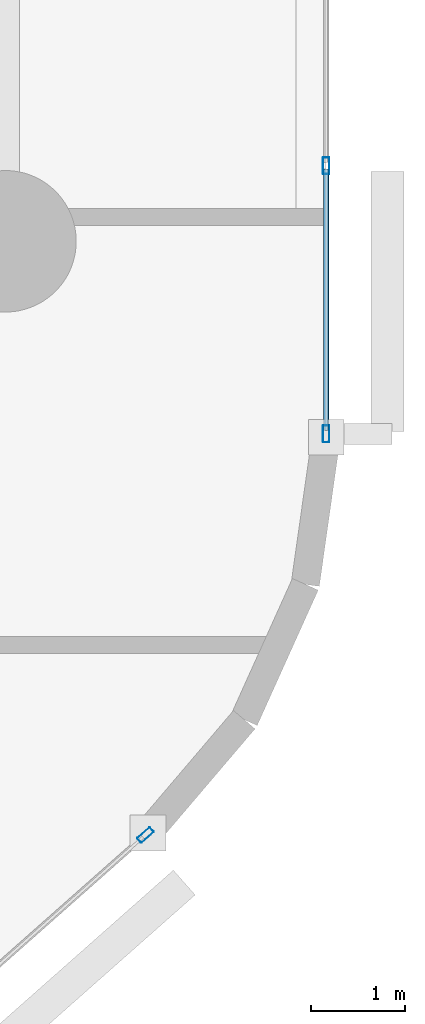
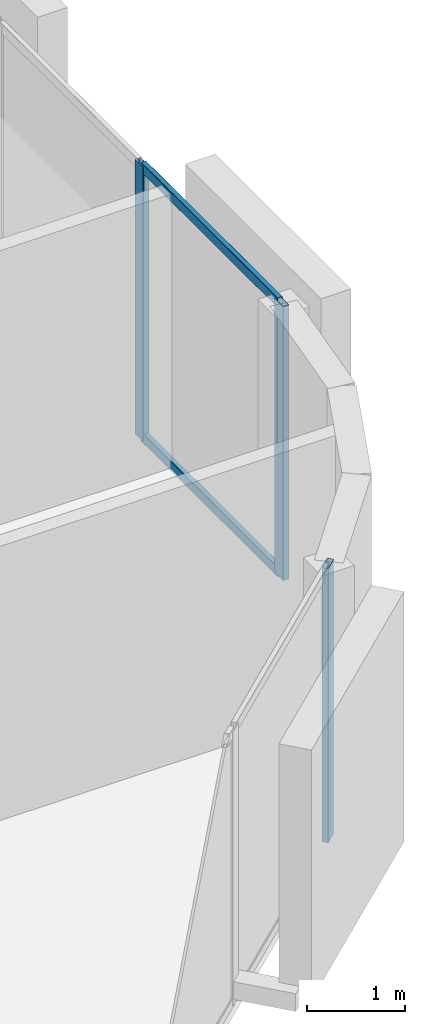
# One storey, part 4 of 16: 5 members, 2 elements without a shape of their own.
"""IFC4 building model written with IfcOpenShell, lengths in metres."""

from ifc_helpers import new_model, si_unit, direction, frame, origin, origin_2d, place, context, subcontext, project, spatial, hollow_rectangle, extrude, material, layer, layer_set, material_profile, profile_set, type_object, element, aggregate, save


model = new_model("IFC4")

# Units and contexts
model_context = context("Model", 3, precision=1e-05, world=origin(), true_north=direction((0.0, 1.0)))
body_context = subcontext(model_context, "Body", "Model", "MODEL_VIEW")
ifc_project = project(units=[si_unit("LENGTHUNIT", "METRE"), si_unit("AREAUNIT", "SQUARE_METRE"), si_unit("VOLUMEUNIT", "CUBIC_METRE"), si_unit("PLANEANGLEUNIT", "RADIAN"), si_unit("MASSUNIT", "GRAM", prefix="KILO")], contexts=[model_context])

# Site, building, storey
site_placement = place(None, origin())
site = spatial("IfcSite", under=ifc_project, at=site_placement, CompositionType="ELEMENT")
building_placement = place(site_placement, origin())
building = spatial("IfcBuilding", under=site, at=building_placement, Name="An Khanh Terracotta Commons", CompositionType="ELEMENT")
storey_placement = place(building_placement, frame((0.0, 0.0, 43.199951171875)))
storey = spatial("IfcBuildingStorey", under=building, at=storey_placement, Name="L11", CompositionType="ELEMENT", Elevation=43.199951171875)

# Curtain wall, member
ifc_material = material(Name="Anodised Aluminium 6063-T6", Category="aluminium")
ifc_layer = layer(ifc_material, 0.199951171875, Name="Anodised Aluminium 6063-T6")
ifc_layer_set = layer_set([ifc_layer], Name="Anodised Aluminium 6063-T6")
curtain_wall_type = type_object("IfcCurtainWallType", Name="CW-SYS-02", PredefinedType="USERDEFINED", material=ifc_layer_set)
curtain_wall_1_placement = place(storey_placement, origin())
curtain_wall_1 = element("IfcCurtainWall", 1, at=curtain_wall_1_placement, inside=storey, type_object=curtain_wall_type, Name="L11 CW-02 Unitised Curtain Wall CW-L11-08", ObjectType="UNITISED CURTAIN WALL", PredefinedType="USERDEFINED")
ifc_material_profile_1 = material_profile(ifc_material, hollow_rectangle(XDim=0.070068359375, YDim=0.179931640625, WallThickness=0.00390625, InnerFilletRadius=0.00390625, OuterFilletRadius=0.008056640625, at=origin_2d()), Name="RHS180x70x4")
ifc_profile_set_1 = profile_set([ifc_material_profile_1], Name="Anodised Aluminium 6063-T6")
member_type_1 = type_object("IfcMemberType", Name="CWM-RHS180x70x4", PredefinedType="MULLION", material=ifc_profile_set_1)
member_1_placement = place(storey_placement, frame((49.683837890625, 9.704833984375, 0.0), z_axis=(0.0, 0.0, 1.0), x_axis=(-0.662548195415, 0.749019284633, 0.0)))
member_1 = element("IfcMember", 2, at=member_1_placement, type_object=member_type_1, Name="CW-02 mullion 4", PredefinedType="MULLION", context=body_context, shape_type="SweptSolid", body=[
    extrude(hollow_rectangle(XDim=0.070068359375, YDim=0.179931640625, WallThickness=0.00390625, InnerFilletRadius=0.00390625, OuterFilletRadius=0.008056640625, at=origin_2d()), origin(), (0.0, 0.0, 1.0), 3.400146484375),
])
aggregate(curtain_wall_1, [member_1])

# Curtain wall, members
curtain_wall_2_placement = place(storey_placement, origin())
curtain_wall_2 = element("IfcCurtainWall", 3, at=curtain_wall_2_placement, inside=storey, type_object=curtain_wall_type, Name="L11 CW-02 Unitised Curtain Wall CW-L11-12", ObjectType="UNITISED CURTAIN WALL", PredefinedType="USERDEFINED")
member_2_placement = place(storey_placement, frame((51.60009765625, 13.9580078125, 0.0), z_axis=(0.0, 0.0, 1.0), x_axis=(-1.0, 0.0, 0.0)))
member_2 = element("IfcMember", 4, at=member_2_placement, type_object=member_type_1, Name="CW-02 mullion 1", PredefinedType="MULLION", context=body_context, shape_type="SweptSolid", body=[
    extrude(hollow_rectangle(XDim=0.070068359375, YDim=0.179931640625, WallThickness=0.00390625, InnerFilletRadius=0.00390625, OuterFilletRadius=0.008056640625, at=origin_2d()), origin(), (0.0, 0.0, 1.0), 3.400146484375),
])
member_3_placement = place(storey_placement, frame((51.60009765625, 16.80224609375, 0.0), z_axis=(0.0, 0.0, 1.0), x_axis=(-1.0, 0.0, 0.0)))
member_3 = element("IfcMember", 5, at=member_3_placement, type_object=member_type_1, Name="CW-02 mullion 2", PredefinedType="MULLION", context=body_context, shape_type="SweptSolid", body=[
    extrude(hollow_rectangle(XDim=0.070068359375, YDim=0.179931640625, WallThickness=0.00390625, InnerFilletRadius=0.00390625, OuterFilletRadius=0.008056640625, at=origin_2d()), origin(), (0.0, 0.0, 1.0), 3.400146484375),
])
ifc_material_profile_2 = material_profile(ifc_material, hollow_rectangle(XDim=0.06005859375, YDim=0.1201171875, WallThickness=0.003662109375, InnerFilletRadius=0.003662109375, OuterFilletRadius=0.007080078125, at=origin_2d()), Name="RHS120x60x3.6")
ifc_profile_set_2 = profile_set([ifc_material_profile_2], Name="Anodised Aluminium 6063-T6")
member_type_2 = type_object("IfcMemberType", Name="CWT-RHS120x60x3.6", PredefinedType="USERDEFINED", material=ifc_profile_set_2)
member_4_placement = place(storey_placement, frame((51.60009765625, 13.992919921875, 0.030029296875), z_axis=(0.0, 1.0, 0.0), x_axis=(-1.0, 0.0, 0.0)))
member_4 = element("IfcMember", 6, at=member_4_placement, type_object=member_type_2, Name="CW-02 transom 1.1", ObjectType="TRANSOM", PredefinedType="USERDEFINED", context=body_context, shape_type="SweptSolid", body=[
    extrude(hollow_rectangle(XDim=0.06005859375, YDim=0.1201171875, WallThickness=0.003662109375, InnerFilletRadius=0.003662109375, OuterFilletRadius=0.007080078125, at=origin_2d()), origin(), (0.0, 0.0, 1.0), 2.774169921875),
])
member_5_placement = place(storey_placement, frame((51.60009765625, 13.992919921875, 3.3701171875), z_axis=(0.0, 1.0, 0.0), x_axis=(-1.0, 0.0, 0.0)))
member_5 = element("IfcMember", 7, at=member_5_placement, type_object=member_type_2, Name="CW-02 transom 1.2", ObjectType="TRANSOM", PredefinedType="USERDEFINED", context=body_context, shape_type="SweptSolid", body=[
    extrude(hollow_rectangle(XDim=0.06005859375, YDim=0.1201171875, WallThickness=0.003662109375, InnerFilletRadius=0.003662109375, OuterFilletRadius=0.007080078125, at=origin_2d()), origin(), (0.0, 0.0, 1.0), 2.774169921875),
])
aggregate(curtain_wall_2, [member_2, member_3, member_4, member_5])

save(model, "model.ifc")
